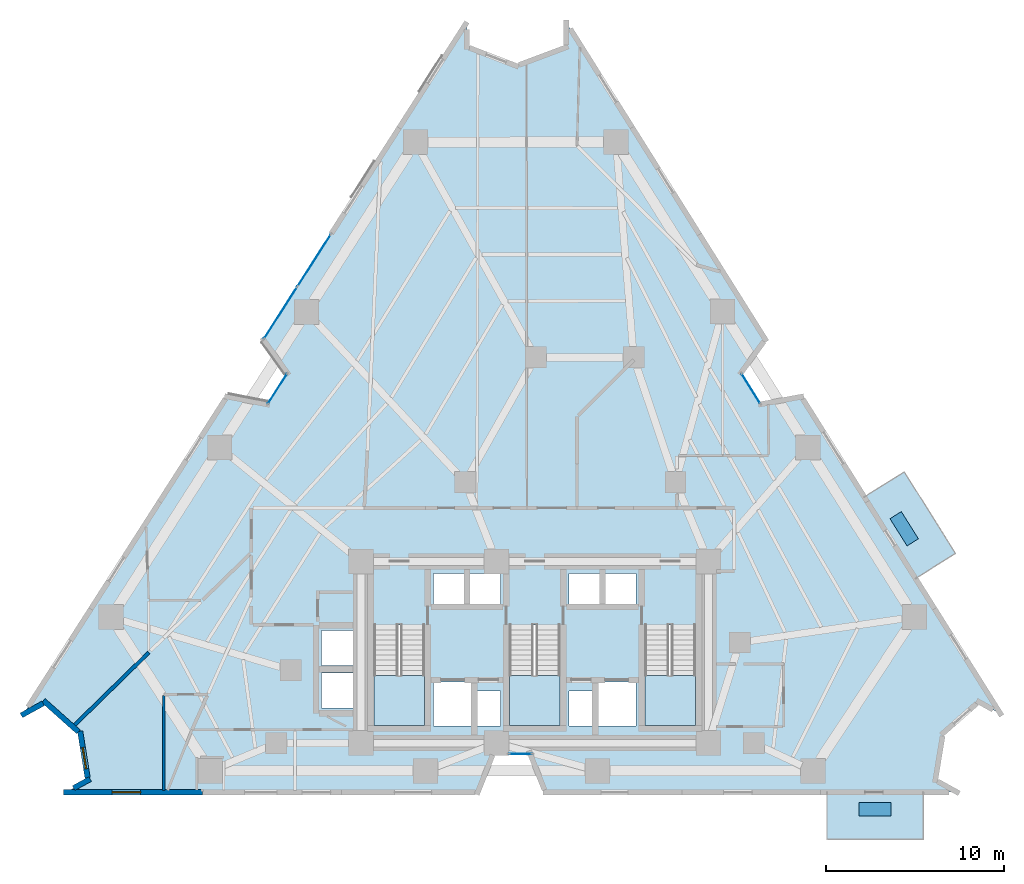
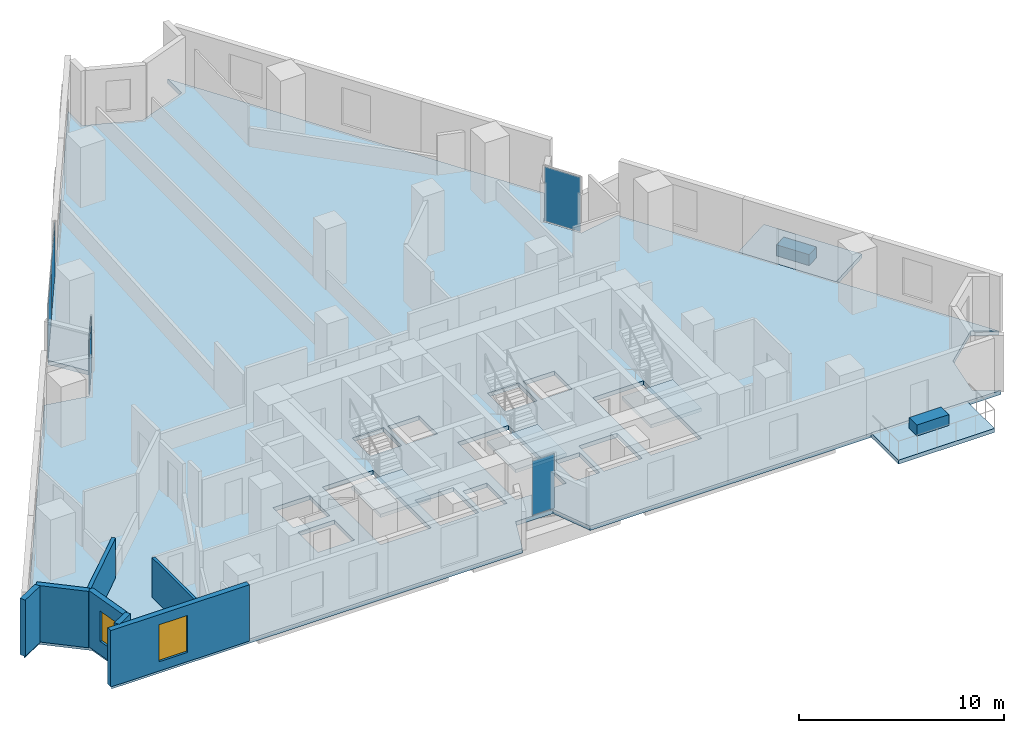
# One storey, part 5 of 12: 7 plates, 7 walls, 6 slabs, 2 windows, 2 openings, 7 elements without a shape of their own.
"""IFC4 building model written with IfcOpenShell, lengths in metres."""

from ifc_helpers import new_model, si_unit, direction, frame, frame_2d, origin, origin_2d, place, context, subcontext, project, spatial, polyline, rectangle, outline, extrude, material, layer, layer_set, type_object, element, fill, aggregate, save


model = new_model("IFC4")

# Units and contexts
model_context = context("Model", 3, precision=1e-05, world=origin(), true_north=direction((0.0, 1.0)))
body_context = subcontext(model_context, "Body", "Model", "MODEL_VIEW")
ifc_project = project(units=[si_unit("LENGTHUNIT", "METRE"), si_unit("AREAUNIT", "SQUARE_METRE"), si_unit("VOLUMEUNIT", "CUBIC_METRE"), si_unit("PLANEANGLEUNIT", "RADIAN"), si_unit("MASSUNIT", "GRAM", prefix="KILO")], contexts=[model_context])

# Site, building, storey
site_placement = place(None, origin())
site = spatial("IfcSite", under=ifc_project, at=site_placement, CompositionType="ELEMENT")
building_placement = place(site_placement, origin())
building = spatial("IfcBuilding", under=site, at=building_placement, Name="Almagre Mirador Tower", CompositionType="ELEMENT")
storey_placement = place(building_placement, frame((0.0, 0.0, 71.39990234375)))
storey = spatial("IfcBuildingStorey", under=building, at=storey_placement, Name="L17", CompositionType="ELEMENT", Elevation=71.39990234375)

# Curtain wall, plate
ifc_material_1 = material(Name="Black anodized aluminium", Category="aluminium")
ifc_layer_1 = layer(ifc_material_1, 0.169921875)
ifc_layer_set_1 = layer_set([ifc_layer_1], Name="Black anodized aluminium")
curtain_wall_type_1 = type_object("IfcCurtainWallType", Name="CW-CRS-SYS", PredefinedType="NOTDEFINED", material=ifc_layer_set_1)
curtain_wall_1_placement = place(storey_placement, origin())
curtain_wall_1 = element("IfcCurtainWall", 1, at=curtain_wall_1_placement, inside=storey, type_object=curtain_wall_type_1, Name="L17 vertical crease curtain wall 01", PredefinedType="NOTDEFINED")
ifc_material_2 = material(Name="Dark solar-control laminated hurricane glass", Category="glass")
ifc_layer_2 = layer(ifc_material_2, 0.028076171875)
ifc_layer_set_2 = layer_set([ifc_layer_2], Name="Dark solar-control laminated hurricane glass")
plate_type_1 = type_object("IfcPlateType", Name="PLT-GLZ-28", PredefinedType="CURTAIN_PANEL", material=ifc_layer_set_2)
plate_1_placement = place(storey_placement, frame((22.860107421875, 24.43994140625, 0.06005859375), z_axis=(0.0, 0.0, 1.0), x_axis=(0.539596564827, 0.841923718176, 0.0)))
plate_1 = element("IfcPlate", 2, at=plate_1_placement, type_object=plate_type_1, Name="CW-4 panel 1.1", PredefinedType="CURTAIN_PANEL", context=body_context, shape_type="SweptSolid", body=[
    extrude(rectangle(XDim=1.970458984375, YDim=0.028076171875, at=origin_2d()), origin(), (0.0, 0.0, 1.0), 3.22998046875),
])
aggregate(curtain_wall_1, [plate_1])

curtain_wall_2_placement = place(storey_placement, origin())
curtain_wall_2 = element("IfcCurtainWall", 3, at=curtain_wall_2_placement, inside=storey, type_object=curtain_wall_type_1, Name="L17 vertical crease curtain wall 03", PredefinedType="NOTDEFINED")
plate_2_placement = place(storey_placement, frame((49.429443359375, 24.4560546875, 0.06005859375), z_axis=(0.0, 0.0, 1.0), x_axis=(0.531632440698, -0.846975175549, 0.0)))
plate_2 = element("IfcPlate", 4, at=plate_2_placement, type_object=plate_type_1, Name="CW-4 panel 1.1", PredefinedType="CURTAIN_PANEL", context=body_context, shape_type="SweptSolid", body=[
    extrude(rectangle(XDim=1.9697265625, YDim=0.028076171875, at=origin_2d()), origin(), (0.0, 0.0, 1.0), 3.22998046875),
])
aggregate(curtain_wall_2, [plate_2])

curtain_wall_3_placement = place(storey_placement, origin())
curtain_wall_3 = element("IfcCurtainWall", 5, at=curtain_wall_3_placement, inside=storey, type_object=curtain_wall_type_1, Name="L17 vertical crease curtain wall 04", PredefinedType="NOTDEFINED")
plate_3_placement = place(storey_placement, frame((36.49853515625, 3.949951171875, 0.06005859375), z_axis=(0.0, 0.0, 1.0), x_axis=(-1.0, 0.0, 0.0)))
plate_3 = element("IfcPlate", 6, at=plate_3_placement, type_object=plate_type_1, Name="CW-4 panel 1.1", PredefinedType="CURTAIN_PANEL", context=body_context, shape_type="SweptSolid", body=[
    extrude(rectangle(XDim=1.2529296875, YDim=0.028076171875, at=origin_2d()), origin(), (0.0, 0.0, 1.0), 3.22998046875),
])
aggregate(curtain_wall_3, [plate_3])

# Curtain wall, plates
ifc_material_3 = material(Name="Black anodized aluminium", Category="aluminium")
ifc_layer_3 = layer(ifc_material_3, 0.18994140625)
ifc_layer_set_3 = layer_set([ifc_layer_3], Name="Black anodized aluminium")
curtain_wall_type_2 = type_object("IfcCurtainWallType", Name="CW-RES-L-SYS", PredefinedType="NOTDEFINED", material=ifc_layer_set_3)
curtain_wall_4_placement = place(storey_placement, origin())
curtain_wall_4 = element("IfcCurtainWall", 7, at=curtain_wall_4_placement, inside=storey, type_object=curtain_wall_type_2, Name="L17 curtain wall run 02", PredefinedType="NOTDEFINED")
ifc_material_4 = material(Name="Dark solar-control laminated hurricane glass", Category="glass")
ifc_layer_4 = layer(ifc_material_4, 0.031982421875)
ifc_layer_set_4 = layer_set([ifc_layer_4], Name="Dark solar-control laminated hurricane glass")
plate_type_2 = type_object("IfcPlateType", Name="PLT-GLZ-32", PredefinedType="CURTAIN_PANEL", material=ifc_layer_set_4)
plate_4_placement = place(storey_placement, frame((23.035400390625, 28.698974609375, 0.06005859375), z_axis=(0.0, 0.0, 1.0), x_axis=(0.539521352541, 0.841971917675, 0.0)))
plate_4 = element("IfcPlate", 8, at=plate_4_placement, type_object=plate_type_2, Name="CW-2 panel 1.1", PredefinedType="CURTAIN_PANEL", context=body_context, shape_type="SweptSolid", body=[
    extrude(rectangle(XDim=3.430419921875, YDim=0.031982421875, at=origin_2d()), origin(), (0.0, 0.0, 1.0), 3.22998046875),
])
plate_5_placement = place(storey_placement, frame((24.921142578125, 31.641845703125, 0.06005859375), z_axis=(0.0, 0.0, 1.0), x_axis=(0.539521352541, 0.841971917675, 0.0)))
plate_5 = element("IfcPlate", 9, at=plate_5_placement, type_object=plate_type_2, Name="CW-2 panel 2.1", PredefinedType="CURTAIN_PANEL", context=body_context, shape_type="SweptSolid", body=[
    extrude(rectangle(XDim=3.430419921875, YDim=0.031982421875, at=origin_2d()), origin(), (0.0, 0.0, 1.0), 3.22998046875),
])
aggregate(curtain_wall_4, [plate_4, plate_5])

# Plates
ifc_material_5 = material(Name="Precast concrete C50/60", Category="concrete")
ifc_layer_5 = layer(ifc_material_5, 0.64990234375)
ifc_layer_set_5 = layer_set([ifc_layer_5], Name="Precast concrete C50/60")
plate_type_3 = type_object("IfcPlateType", Name="PLT-PLANTER-1800", PredefinedType="USERDEFINED", material=ifc_layer_set_5)
for number, where, z_axis, x_axis, name in (
    (10, (56.39990234375, 0.85009765625, 0.000244140625), (0.0, 0.0, 1.0), (1.0, 0.0, 0.0), "L17 south balcony structural tree planter 1"),
    (11, (58.033935546875, 16.5849609375, 0.000244140625), (0.0, 0.0, 1.0), (-0.531915957673, 0.846797150428, 0.0), "L17 east balcony structural tree planter 2"),
):
    element("IfcPlate", number, at=place(storey_placement, frame(where, z_axis=z_axis, x_axis=x_axis)), inside=storey, type_object=plate_type_3, Name=name, ObjectType="PLANTER", PredefinedType="USERDEFINED", context=body_context, shape_type="SweptSolid", body=[
        extrude(rectangle(XDim=1.800048828125, YDim=0.75, at=origin_2d()), origin(), (0.0, 0.0, 1.0), 0.64990234375),
    ])

# Slabs
ifc_material_6 = material(Name="Concrete C45/55", Category="concrete")
ifc_layer_6 = layer(ifc_material_6, 0.239990234375)
ifc_layer_set_6 = layer_set([ifc_layer_6], Name="Concrete C45/55")
slab_type_1 = type_object("IfcSlabType", Name="SLB-BAL-240", PredefinedType="USERDEFINED", material=ifc_layer_set_6)
slab_1_placement = place(storey_placement, frame((0.0, 0.0, -0.239990234375)))
element("IfcSlab", 12, at=slab_1_placement, inside=storey, type_object=slab_type_1, Name="L17 south planted tree balcony 1", ObjectType="BALCONY", PredefinedType="USERDEFINED", context=body_context, shape_type="SweptSolid", body=[
    extrude(outline(polyline([(53.699951171875, 1.820068359375), (59.10009765625, 1.820068359375), (59.10009765625, -0.85009765625), (53.699951171875, -0.85009765625), (53.699951171875, 1.820068359375)])), origin(), (0.0, 0.0, 1.0), 0.239990234375),
])
slab_2_placement = place(storey_placement, frame((0.0, 0.0, -0.239990234375)))
element("IfcSlab", 13, at=slab_2_placement, inside=storey, type_object=slab_type_1, Name="L17 east planted tree balcony 2", ObjectType="BALCONY", PredefinedType="USERDEFINED", context=body_context, shape_type="SweptSolid", body=[
    extrude(outline(polyline([(58.64892578125, 13.782958984375), (55.777099609375, 18.35498046875), (58.0380859375, 19.77587890625), (60.909912109375, 15.202880859375), (58.64892578125, 13.782958984375)])), origin(), (0.0, 0.0, 1.0), 0.239990234375),
])
ifc_material_7 = material(Name="Concrete C45/55", Category="concrete")
ifc_layer_7 = layer(ifc_material_7, 0.25)
ifc_layer_set_7 = layer_set([ifc_layer_7], Name="Concrete C45/55")
slab_type_2 = type_object("IfcSlabType", Name="SLB-FLR-250", PredefinedType="FLOOR", material=ifc_layer_set_7)
slab_3_placement = place(storey_placement, frame((0.0, 0.0, -0.25)))
element("IfcSlab", 14, at=slab_3_placement, inside=storey, type_object=slab_type_2, Name="L17 structural floor slab", PredefinedType="FLOOR", context=body_context, shape_type="SweptSolid", body=[
    extrude(outline(polyline([(8.60498046875, 6.177978515625), (9.8291015625, 6.847900390625), (11.804931640625, 5.083984375), (12.22412109375, 2.468994140625), (11.0, 1.800048828125), (34.10009765625, 1.800048828125), (34.955078125, 3.949951171875), (37.044921875, 3.949951171875), (37.89990234375, 1.800048828125), (61.0, 1.800048828125), (59.779052734375, 2.47509765625), (60.2099609375, 5.111083984375), (62.212890625, 6.8779296875), (63.43408203125, 6.202880859375), (52.260986328125, 23.990966796875), (49.985107421875, 23.571044921875), (48.8740234375, 25.341064453125), (50.239013671875, 27.208984375), (39.06591796875, 44.9970703125), (39.06005859375, 43.60205078125), (36.26904296875, 42.555908203125), (33.488037109375, 43.626953125), (33.4951171875, 45.02197265625), (22.074951171875, 27.199951171875), (23.424072265625, 25.320068359375), (22.2958984375, 23.56005859375), (20.02490234375, 24.0), (8.60498046875, 6.177978515625)]), holes=[polyline([(43.47509765625, 11.196044921875), (46.324951171875, 11.196044921875), (46.324951171875, 5.550048828125), (43.47509765625, 5.550048828125), (43.47509765625, 11.196044921875)]), polyline([(40.820068359375, 5.52001953125), (40.820068359375, 7.97998046875), (42.97998046875, 7.97998046875), (42.97998046875, 5.52001953125), (40.820068359375, 5.52001953125)]), polyline([(41.219970703125, 12.320068359375), (41.219970703125, 14.080078125), (42.97998046875, 14.080078125), (42.97998046875, 12.320068359375), (41.219970703125, 12.320068359375)]), polyline([(39.219970703125, 12.320068359375), (39.219970703125, 14.080078125), (40.97998046875, 14.080078125), (40.97998046875, 12.320068359375), (39.219970703125, 12.320068359375)]), polyline([(39.219970703125, 5.52001953125), (39.219970703125, 7.47998046875), (40.580078125, 7.47998046875), (40.580078125, 5.52001953125), (39.219970703125, 5.52001953125)]), polyline([(35.875, 11.196044921875), (38.72509765625, 11.196044921875), (38.72509765625, 5.550048828125), (35.875, 5.550048828125), (35.875, 11.196044921875)]), polyline([(35.3798828125, 5.52001953125), (34.02001953125, 5.52001953125), (34.02001953125, 7.47998046875), (35.3798828125, 7.47998046875), (35.3798828125, 5.52001953125)]), polyline([(35.3798828125, 12.320068359375), (33.6201171875, 12.320068359375), (33.6201171875, 14.080078125), (35.3798828125, 14.080078125), (35.3798828125, 12.320068359375)]), polyline([(31.6201171875, 5.52001953125), (31.6201171875, 7.97998046875), (33.780029296875, 7.97998046875), (33.780029296875, 5.52001953125), (31.6201171875, 5.52001953125)]), polyline([(31.6201171875, 12.320068359375), (31.6201171875, 14.080078125), (33.3798828125, 14.080078125), (33.3798828125, 12.320068359375), (31.6201171875, 12.320068359375)]), polyline([(28.27490234375, 5.550048828125), (28.27490234375, 11.196044921875), (31.125, 11.196044921875), (31.125, 5.550048828125), (28.27490234375, 5.550048828125)]), polyline([(25.320068359375, 6.52001953125), (25.320068359375, 8.47998046875), (27.3798828125, 8.47998046875), (27.3798828125, 6.52001953125), (25.320068359375, 6.52001953125)]), polyline([(25.320068359375, 8.919921875), (25.320068359375, 10.8798828125), (27.3798828125, 10.8798828125), (27.3798828125, 8.919921875), (25.320068359375, 8.919921875)])]), origin(), (0.0, 0.0, 1.0), 0.25),
])

# Stair, slab
ifc_material_8 = material(Name="Concrete C45/55", Category="concrete")
stair_type = type_object("IfcStairType", Name="STR-DL-3600", PredefinedType="HALF_TURN_STAIR", material=ifc_material_8)
stair_1_placement = place(storey_placement, origin())
stair_1 = element("IfcStair", 15, at=stair_1_placement, inside=storey, type_object=stair_type, Name="L17 Protected exit stair ST-1", PredefinedType="HALF_TURN_STAIR")
ifc_material_9 = material(Name="Concrete C45/55", Category="concrete")
ifc_layer_8 = layer(ifc_material_9, 0.199951171875)
ifc_layer_set_8 = layer_set([ifc_layer_8], Name="Concrete C45/55")
slab_type_3 = type_object("IfcSlabType", Name="SLB-LND-200", PredefinedType="LANDING", material=ifc_layer_set_8)
slab_4_placement = place(storey_placement, frame((0.0, 0.0, 1.60009765625)))
slab_4 = element("IfcSlab", 16, at=slab_4_placement, type_object=slab_type_3, Name="ST-1 landing 1", PredefinedType="LANDING", context=body_context, shape_type="SweptSolid", body=[
    extrude(outline(polyline([(28.27490234375, 8.35009765625), (28.27490234375, 5.550048828125), (31.125, 5.550048828125), (31.125, 8.35009765625), (28.27490234375, 8.35009765625)])), origin(), (0.0, 0.0, 1.0), 0.199951171875),
])
aggregate(stair_1, [slab_4])

stair_2_placement = place(storey_placement, origin())
stair_2 = element("IfcStair", 17, at=stair_2_placement, inside=storey, type_object=stair_type, Name="L17 Protected exit stair ST-2", PredefinedType="HALF_TURN_STAIR")
slab_5_placement = place(storey_placement, frame((0.0, 0.0, 1.60009765625)))
slab_5 = element("IfcSlab", 18, at=slab_5_placement, type_object=slab_type_3, Name="ST-2 landing 1", PredefinedType="LANDING", context=body_context, shape_type="SweptSolid", body=[
    extrude(outline(polyline([(35.875, 8.35009765625), (35.875, 5.550048828125), (38.72509765625, 5.550048828125), (38.72509765625, 8.35009765625), (35.875, 8.35009765625)])), origin(), (0.0, 0.0, 1.0), 0.199951171875),
])
aggregate(stair_2, [slab_5])

stair_3_placement = place(storey_placement, origin())
stair_3 = element("IfcStair", 19, at=stair_3_placement, inside=storey, type_object=stair_type, Name="L17 Protected exit stair ST-3", PredefinedType="HALF_TURN_STAIR")
slab_6_placement = place(storey_placement, frame((0.0, 0.0, 1.60009765625)))
slab_6 = element("IfcSlab", 20, at=slab_6_placement, type_object=slab_type_3, Name="ST-3 landing 1", PredefinedType="LANDING", context=body_context, shape_type="SweptSolid", body=[
    extrude(outline(polyline([(43.47509765625, 8.35009765625), (43.47509765625, 5.550048828125), (46.324951171875, 5.550048828125), (46.324951171875, 8.35009765625), (43.47509765625, 8.35009765625)])), origin(), (0.0, 0.0, 1.0), 0.199951171875),
])
aggregate(stair_3, [slab_6])

# Wall, opening, window
ifc_material_10 = material(Name="Precast concrete C50/60", Category="concrete")
ifc_layer_9 = layer(ifc_material_10, 0.300048828125)
ifc_layer_set_9 = layer_set([ifc_layer_9], Name="Precast concrete C50/60")
wall_type_1 = type_object("IfcWallType", Name="WAL-EXT-300", PredefinedType="SOLIDWALL", material=ifc_layer_set_9)
wall_1_placement = place(storey_placement, frame((18.6533203125, 1.800048828125, 0.0), z_axis=(0.0, 0.0, 1.0), x_axis=(-1.0, 0.0, 0.0)))
wall_1 = element("IfcWall", 21, at=wall_1_placement, inside=storey, type_object=wall_type_1, Name="L17 expressed almagre precast frame wall 28", PredefinedType="SOLIDWALL", context=body_context, shape_type="SweptSolid", body=[
    extrude(rectangle(XDim=7.793212890625, YDim=0.300048828125, at=frame_2d((3.896484375, 0.0))), origin(), (0.0, 0.0, 1.0), 3.35009765625),
])
opening_1_placement = place(wall_1_placement, frame((3.47509765625, 0.0, 0.550048828125)))
opening_1 = element("IfcOpeningElement", 22, at=opening_1_placement, cuts=wall_1, Name="Opening WN-06", PredefinedType="OPENING", context=body_context, shape_type="SweptSolid", body=[
    extrude(rectangle(XDim=1.60009765625, YDim=2.199951171875, at=frame_2d((0.800048828125, 1.10009765625))), frame((0.0, 0.159902, 0.0), z_axis=(0.0, -1.0, 0.0), x_axis=(1.0, 0.0, 0.0)), (0.0, 0.0, 1.0), 0.320049),
])
ifc_material_11 = material(Name="Dark solar-control laminated hurricane glass", Category="glass")
window_type_1 = type_object("IfcWindowType", Name="WIN-1600X2200", PartitioningType="DOUBLE_PANEL_VERTICAL", PredefinedType="WINDOW", material=ifc_material_11)
window_1_placement = place(opening_1_placement, origin())
window_1 = element("IfcWindow", 23, at=window_1_placement, inside=storey, type_object=window_type_1, Name="L17 recessed hurricane window L17-UA-KT", OverallHeight=2.199951171875, OverallWidth=1.60009765625, PartitioningType="SINGLE_PANEL", PredefinedType="WINDOW", context=body_context, shape_type="SweptSolid", body=[
    extrude(rectangle(XDim=1.60009765625, YDim=2.199951171875, at=frame_2d((0.800048828125, 1.10009765625))), frame((0.0, 0.030029296875, 0.0), z_axis=(0.0, -1.0, 0.0), x_axis=(1.0, 0.0, 0.0)), (0.0, 0.0, 1.0), 0.06005859375),
])
fill(opening_1, window_1)

# Wall
wall_2_placement = place(storey_placement, frame((11.421142578125, 2.0302734375, 0.0), z_axis=(0.0, 0.0, 1.0), x_axis=(0.877488347229, 0.479597957124, 0.0)))
element("IfcWall", 24, at=wall_2_placement, inside=storey, type_object=wall_type_1, Name="L17 expressed almagre precast frame wall 29", PredefinedType="SOLIDWALL", context=body_context, shape_type="SweptSolid", body=[
    extrude(rectangle(XDim=1.0546875, YDim=0.300048828125, at=frame_2d((0.52734375, 0.0))), origin(), (0.0, 0.0, 1.0), 3.35009765625),
])

# Wall, opening, window
wall_3_placement = place(storey_placement, frame((12.20263671875, 2.602294921875, 0.0), z_axis=(0.0, 0.0, 1.0), x_axis=(-0.158173523246, 0.987411330978, 0.0)))
wall_3 = element("IfcWall", 25, at=wall_3_placement, inside=storey, type_object=wall_type_1, Name="L17 expressed almagre precast frame wall 30", PredefinedType="SOLIDWALL", context=body_context, shape_type="SweptSolid", body=[
    extrude(rectangle(XDim=2.6533203125, YDim=0.300048828125, at=frame_2d((1.32666015625, 0.0))), origin(), (0.0, 0.0, 1.0), 3.35009765625),
])
opening_2_placement = place(wall_3_placement, frame((0.52490234375, 0.0, 0.800048828125)))
opening_2 = element("IfcOpeningElement", 26, at=opening_2_placement, cuts=wall_3, Name="Opening WN-04", PredefinedType="OPENING", context=body_context, shape_type="SweptSolid", body=[
    extrude(rectangle(XDim=1.199951171875, YDim=1.800048828125, at=frame_2d((0.60009765625, 0.89990234375))), frame((0.0, 0.159902, 0.0), z_axis=(0.0, -1.0, 0.0), x_axis=(1.0, 0.0, 0.0)), (0.0, 0.0, 1.0), 0.320049),
])
ifc_material_12 = material(Name="Dark solar-control laminated hurricane glass", Category="glass")
window_type_2 = type_object("IfcWindowType", Name="WIN-1200X1800", PartitioningType="SINGLE_PANEL", PredefinedType="WINDOW", material=ifc_material_12)
window_2_placement = place(opening_2_placement, origin())
window_2 = element("IfcWindow", 27, at=window_2_placement, inside=storey, type_object=window_type_2, Name="L17 recessed hurricane window L17-UA-KT", OverallHeight=1.800048828125, OverallWidth=1.199951171875, PartitioningType="SINGLE_PANEL", PredefinedType="WINDOW", context=body_context, shape_type="SweptSolid", body=[
    extrude(rectangle(XDim=1.199951171875, YDim=1.800048828125, at=frame_2d((0.60009765625, 0.89990234375))), frame((0.0, 0.030029296875, 0.0), z_axis=(0.0, -1.0, 0.0), x_axis=(1.0, 0.0, 0.0)), (0.0, 0.0, 1.0), 0.06005859375),
])
fill(opening_2, window_2)

# Walls
wall_4_placement = place(storey_placement, frame((11.689208984375, 5.187255859375, 0.0), z_axis=(0.0, 0.0, 1.0), x_axis=(-0.745975491387, 0.665973397555, 0.0)))
element("IfcWall", 28, at=wall_4_placement, inside=storey, type_object=wall_type_1, Name="L17 expressed almagre precast frame wall 31", PredefinedType="SOLIDWALL", context=body_context, shape_type="SweptSolid", body=[
    extrude(rectangle(XDim=2.633544921875, YDim=0.300048828125, at=frame_2d((1.31689453125, 0.0))), origin(), (0.0, 0.0, 1.0), 3.35009765625),
])
wall_5_placement = place(storey_placement, frame((9.710693359375, 6.783203125, 0.0), z_axis=(0.0, 0.0, 1.0), x_axis=(-0.877215145436, -0.480097478245, 0.0)))
element("IfcWall", 29, at=wall_5_placement, inside=storey, type_object=wall_type_1, Name="L17 expressed almagre precast frame wall 32", PredefinedType="SOLIDWALL", context=body_context, shape_type="SweptSolid", body=[
    extrude(rectangle(XDim=1.400390625, YDim=0.300048828125, at=frame_2d((0.7001953125, 0.0))), origin(), (0.0, 0.0, 1.0), 3.35009765625),
])
ifc_material_13 = material(Name="Gypsum acoustic stud partition", Category="other")
ifc_layer_10 = layer(ifc_material_13, 0.14990234375)
ifc_layer_set_10 = layer_set([ifc_layer_10], Name="Gypsum acoustic stud partition")
wall_type_2 = type_object("IfcWallType", Name="WAL-PRT-150-STD", PredefinedType="PARTITIONING", material=ifc_layer_set_10)
wall_6_placement = place(storey_placement, frame((16.47998046875, 7.219970703125, 0.0), z_axis=(0.0, 0.0, 1.0), x_axis=(0.0, -1.0, 0.0)))
element("IfcWall", 30, at=wall_6_placement, inside=storey, type_object=wall_type_2, Name="L17 interior partition 021", PredefinedType="PARTITIONING", context=body_context, shape_type="SweptSolid", body=[
    extrude(rectangle(XDim=5.320068359375, YDim=0.14990234375, at=frame_2d((2.66015625, 0.0))), origin(), (0.0, 0.0, 1.0), 2.3701171875),
])
ifc_material_14 = material(Name="Gypsum acoustic stud partition", Category="other")
ifc_layer_11 = layer(ifc_material_14, 0.199951171875)
ifc_layer_set_11 = layer_set([ifc_layer_11], Name="Gypsum acoustic stud partition")
wall_type_3 = type_object("IfcWallType", Name="WAL-PRT-200-EI60", PredefinedType="PARTITIONING", material=ifc_layer_set_11)
wall_7_placement = place(storey_placement, frame((15.639892578125, 9.639892578125, 0.0), z_axis=(0.0, 0.0, 1.0), x_axis=(-0.714989565671, -0.69913512355, 0.0)))
element("IfcWall", 31, at=wall_7_placement, inside=storey, type_object=wall_type_3, Name="L17 interior partition 024", PredefinedType="PARTITIONING", context=body_context, shape_type="SweptSolid", body=[
    extrude(rectangle(XDim=5.866943359375, YDim=0.199951171875, at=frame_2d((2.93359375, 0.0))), origin(), (0.0, 0.0, 1.0), 2.3701171875),
])

save(model, "model.ifc")
